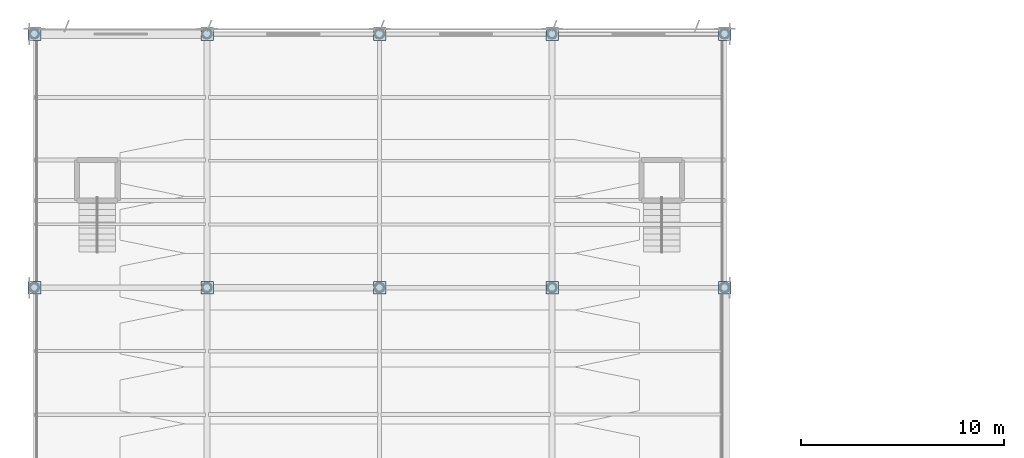
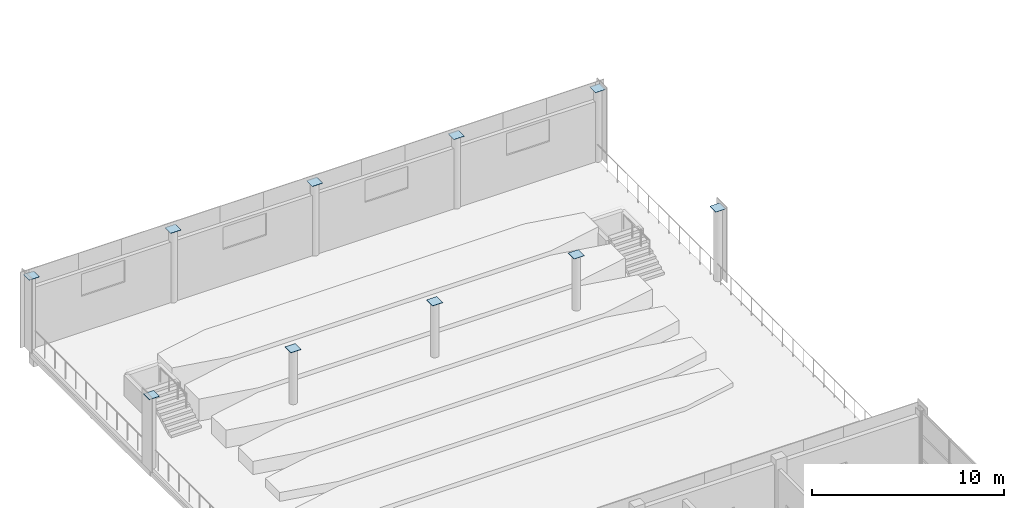
# One storey, part 66 of 86: 10 plates.
"""IFC4 building model written with IfcOpenShell, lengths in metres."""

from ifc_helpers import new_model, si_unit, direction, frame, origin, origin_2d, place, context, subcontext, project, spatial, rectangle, extrude, material, layer, layer_set, type_object, element, save


model = new_model("IFC4")

# Units and contexts
model_context = context("Model", 3, precision=1e-05, world=origin(), true_north=direction((0.0, 1.0)))
body_context = subcontext(model_context, "Body", "Model", "MODEL_VIEW")
ifc_project = project(units=[si_unit("LENGTHUNIT", "METRE"), si_unit("AREAUNIT", "SQUARE_METRE"), si_unit("VOLUMEUNIT", "CUBIC_METRE"), si_unit("PLANEANGLEUNIT", "RADIAN"), si_unit("MASSUNIT", "GRAM", prefix="KILO")], contexts=[model_context])

# Site, building, storey
site_placement = place(None, origin())
site = spatial("IfcSite", under=ifc_project, at=site_placement, CompositionType="ELEMENT")
building_placement = place(site_placement, origin())
building = spatial("IfcBuilding", under=site, at=building_placement, Name="Solvikara Media Centre", CompositionType="ELEMENT")
storey_placement = place(building_placement, frame((0.0, 0.0, 15.0)))
storey = spatial("IfcBuildingStorey", under=building, at=storey_placement, Name="L03", CompositionType="ELEMENT", Elevation=15.0)

# Plates
ifc_material = material(Name="Steel S355JR", Category="steel")
ifc_layer = layer(ifc_material, 0.01806640625)
ifc_layer_set = layer_set([ifc_layer], Name="Steel S355JR")
plate_type = type_object("IfcPlateType", Name="PL-09", PredefinedType="USERDEFINED", material=ifc_layer_set)
for number, where, z_axis, x_axis, name in (
    (1, (0.0, 114.0, 4.541015625), (0.0, 0.0, 1.0), (1.0, 0.0, 0.0), "CAP-AM-N00"),
    (2, (0.0, 101.5, 4.541015625), (0.0, 0.0, 1.0), (1.0, 0.0, 0.0), "CAP-AM-M00"),
    (3, (8.5, 114.0, 4.541015625), (0.0, 0.0, 1.0), (1.0, 0.0, 0.0), "CAP-AM-N01"),
    (4, (8.5, 101.5, 4.541015625), (0.0, 0.0, 1.0), (1.0, 0.0, 0.0), "CAP-AM-M01"),
    (5, (17.0, 114.0, 4.541015625), (0.0, 0.0, 1.0), (1.0, 0.0, 0.0), "CAP-AM-N02"),
    (6, (17.0, 101.5, 4.541015625), (0.0, 0.0, 1.0), (1.0, 0.0, 0.0), "CAP-AM-M02"),
    (7, (25.5, 114.0, 4.541015625), (0.0, 0.0, 1.0), (1.0, 0.0, 0.0), "CAP-AM-N03"),
    (8, (25.5, 101.5, 4.541015625), (0.0, 0.0, 1.0), (1.0, 0.0, 0.0), "CAP-AM-M03"),
    (9, (34.0, 114.0, 4.541015625), (0.0, 0.0, 1.0), (1.0, 0.0, 0.0), "CAP-AM-N04"),
    (10, (34.0, 101.5, 4.541015625), (0.0, 0.0, 1.0), (1.0, 0.0, 0.0), "CAP-AM-M04"),
):
    element("IfcPlate", number, at=place(storey_placement, frame(where, z_axis=z_axis, x_axis=x_axis)), inside=storey, type_object=plate_type, Name=name, ObjectType="BASE PLATE", PredefinedType="USERDEFINED", context=body_context, shape_type="SweptSolid", body=[
        extrude(rectangle(XDim=0.6201171875, YDim=0.6201171875, at=origin_2d()), origin(), (0.0, 0.0, 1.0), 0.01806640625),
    ])

save(model, "model.ifc")
